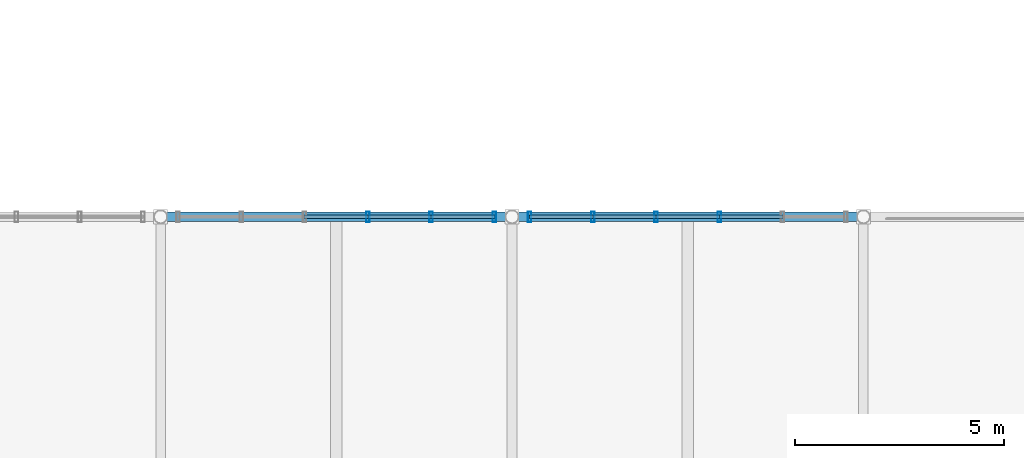
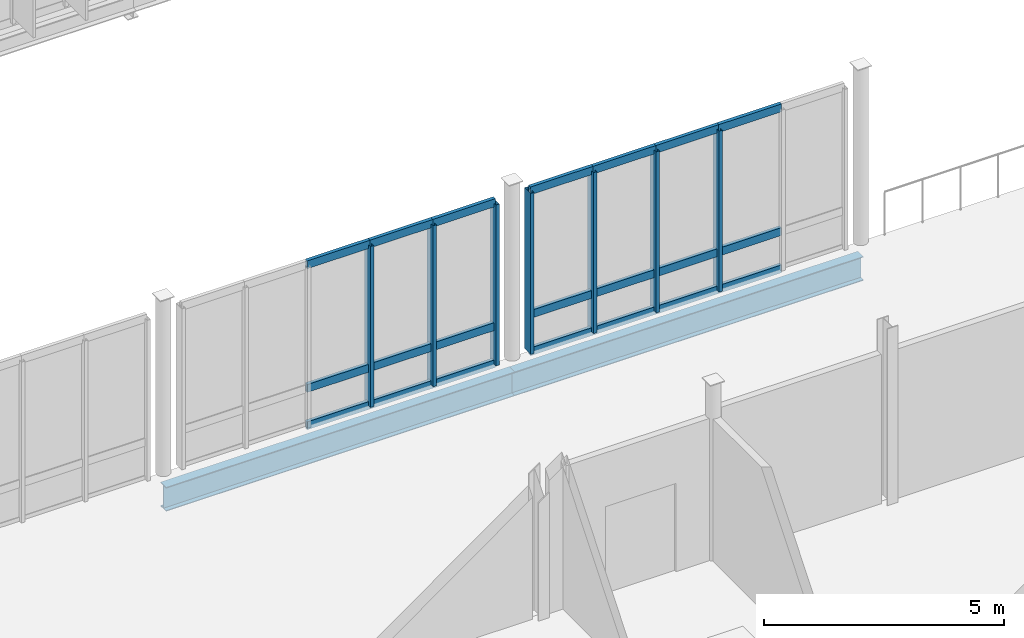
# One storey, part 43 of 139: 28 members, 2 beams, 2 elements without a shape of their own.
"""IFC4 building model written with IfcOpenShell, lengths in metres."""

from ifc_helpers import new_model, si_unit, derived_unit, direction, frame, origin, origin_2d, place, context, subcontext, project, spatial, hollow_rectangle, i_section, extrude, material, layer, layer_set, material_profile, profile_set, type_object, element, aggregate, save


model = new_model("IFC4")

# Units and contexts
model_context = context("Model", 3, precision=1e-05, world=origin(), true_north=direction((0.0, 1.0)))
body_context = subcontext(model_context, "Body", "Model", "MODEL_VIEW")
ifc_project = project(units=[si_unit("LENGTHUNIT", "METRE"), si_unit("AREAUNIT", "SQUARE_METRE"), si_unit("VOLUMEUNIT", "CUBIC_METRE"), si_unit("PLANEANGLEUNIT", "RADIAN"), si_unit("MASSUNIT", "GRAM", prefix="KILO"), derived_unit("THERMALTRANSMITTANCEUNIT", [(si_unit("MASSUNIT", "GRAM", prefix="KILO"), 1), (si_unit("TIMEUNIT", "SECOND"), -3), (si_unit("THERMODYNAMICTEMPERATUREUNIT", "KELVIN"), -1)])], contexts=[model_context])

# Site, building, storey
site_placement = place(None, origin())
site = spatial("IfcSite", under=ifc_project, at=site_placement, CompositionType="ELEMENT")
building_placement = place(site_placement, origin())
building = spatial("IfcBuilding", under=site, at=building_placement, Name="Makaiwela Harbour Ferry Terminal", CompositionType="ELEMENT")
storey_placement = place(building_placement, frame((0.0, 0.0, 5.10009765625)))
storey = spatial("IfcBuildingStorey", under=building, at=storey_placement, Name="L01", CompositionType="ELEMENT", Elevation=5.10009765625)

# Curtain wall, members
ifc_material_1 = material(Name="Marine anodised aluminium 6063-T6", Category="aluminium")
ifc_layer = layer(ifc_material_1, 0.199951171875)
ifc_layer_set = layer_set([ifc_layer], Name="Marine anodised aluminium 6063-T6")
curtain_wall_type = type_object("IfcCurtainWallType", Name="ENV-CW-08", PredefinedType="USERDEFINED", material=ifc_layer_set)
curtain_wall_1_placement = place(storey_placement, origin())
curtain_wall_1 = element("IfcCurtainWall", 1, at=curtain_wall_1_placement, inside=storey, type_object=curtain_wall_type, Name="Unitised Curtain Wall CWA-149", ObjectType="UNITIZED CURTAIN WALL", PredefinedType="USERDEFINED")
ifc_material_profile_1 = material_profile(ifc_material_1, hollow_rectangle(XDim=0.0849609375, YDim=0.25, WallThickness=0.0048828125, at=origin_2d()), Name="CWM-250X85")
ifc_profile_set_1 = profile_set([ifc_material_profile_1], Name="Marine anodised aluminium 6063-T6")
member_type_1 = type_object("IfcMemberType", Name="CW-MUL-250", PredefinedType="MULLION", material=ifc_profile_set_1)
member_1_placement = place(storey_placement, frame((121.3798828125, 33.60009765625, 0.0), z_axis=(0.0, 0.0, 1.0), x_axis=(1.0, 0.0, 0.0)))
member_1 = element("IfcMember", 2, at=member_1_placement, type_object=member_type_1, Name="Curtain Wall Mullion CWA-149-1", PredefinedType="MULLION", context=body_context, shape_type="SweptSolid", body=[
    extrude(hollow_rectangle(XDim=0.0849609375, YDim=0.25, WallThickness=0.0048828125, at=origin_2d()), origin(), (0.0, 0.0, 1.0), 4.099853515625),
])
member_2_placement = place(storey_placement, frame((119.867919921875, 33.60009765625, 0.0), z_axis=(0.0, 0.0, 1.0), x_axis=(1.0, 0.0, 0.0)))
member_2 = element("IfcMember", 3, at=member_2_placement, type_object=member_type_1, Name="Curtain Wall Mullion CWA-149-2", PredefinedType="MULLION", context=body_context, shape_type="SweptSolid", body=[
    extrude(hollow_rectangle(XDim=0.0849609375, YDim=0.25, WallThickness=0.0048828125, at=origin_2d()), origin(), (0.0, 0.0, 1.0), 4.099853515625),
])
member_3_placement = place(storey_placement, frame((118.35595703125, 33.60009765625, 0.0), z_axis=(0.0, 0.0, 1.0), x_axis=(1.0, 0.0, 0.0)))
member_3 = element("IfcMember", 4, at=member_3_placement, type_object=member_type_1, Name="Curtain Wall Mullion CWA-149-3", PredefinedType="MULLION", context=body_context, shape_type="SweptSolid", body=[
    extrude(hollow_rectangle(XDim=0.0849609375, YDim=0.25, WallThickness=0.0048828125, at=origin_2d()), origin(), (0.0, 0.0, 1.0), 4.099853515625),
])

curtain_wall_2_placement = place(storey_placement, origin())
curtain_wall_2 = element("IfcCurtainWall", 5, at=curtain_wall_2_placement, inside=storey, type_object=curtain_wall_type, Name="Unitised Curtain Wall CWA-151", ObjectType="UNITIZED CURTAIN WALL", PredefinedType="USERDEFINED")
member_4_placement = place(storey_placement, frame((126.756103515625, 33.60009765625, 0.0), z_axis=(0.0, 0.0, 1.0), x_axis=(1.0, 0.0, 0.0)))
member_4 = element("IfcMember", 6, at=member_4_placement, type_object=member_type_1, Name="Curtain Wall Mullion CWA-151-3", PredefinedType="MULLION", context=body_context, shape_type="SweptSolid", body=[
    extrude(hollow_rectangle(XDim=0.0849609375, YDim=0.25, WallThickness=0.0048828125, at=origin_2d()), origin(), (0.0, 0.0, 1.0), 4.099853515625),
])
member_5_placement = place(storey_placement, frame((125.243896484375, 33.60009765625, 0.0), z_axis=(0.0, 0.0, 1.0), x_axis=(1.0, 0.0, 0.0)))
member_5 = element("IfcMember", 7, at=member_5_placement, type_object=member_type_1, Name="Curtain Wall Mullion CWA-151-4", PredefinedType="MULLION", context=body_context, shape_type="SweptSolid", body=[
    extrude(hollow_rectangle(XDim=0.0849609375, YDim=0.25, WallThickness=0.0048828125, at=origin_2d()), origin(), (0.0, 0.0, 1.0), 4.099853515625),
])
member_6_placement = place(storey_placement, frame((123.73193359375, 33.60009765625, 0.0), z_axis=(0.0, 0.0, 1.0), x_axis=(1.0, 0.0, 0.0)))
member_6 = element("IfcMember", 8, at=member_6_placement, type_object=member_type_1, Name="Curtain Wall Mullion CWA-151-5", PredefinedType="MULLION", context=body_context, shape_type="SweptSolid", body=[
    extrude(hollow_rectangle(XDim=0.0849609375, YDim=0.25, WallThickness=0.0048828125, at=origin_2d()), origin(), (0.0, 0.0, 1.0), 4.099853515625),
])
member_7_placement = place(storey_placement, frame((122.219970703125, 33.60009765625, 0.0), z_axis=(0.0, 0.0, 1.0), x_axis=(1.0, 0.0, 0.0)))
member_7 = element("IfcMember", 9, at=member_7_placement, type_object=member_type_1, Name="Curtain Wall Mullion CWA-151-6", PredefinedType="MULLION", context=body_context, shape_type="SweptSolid", body=[
    extrude(hollow_rectangle(XDim=0.0849609375, YDim=0.25, WallThickness=0.0048828125, at=origin_2d()), origin(), (0.0, 0.0, 1.0), 4.099853515625),
])

# Member
ifc_material_profile_2 = material_profile(ifc_material_1, hollow_rectangle(XDim=0.0849609375, YDim=0.199951171875, WallThickness=0.0048828125, at=origin_2d()), Name="CWT-200X85")
ifc_profile_set_2 = profile_set([ifc_material_profile_2], Name="Marine anodised aluminium 6063-T6")
member_type_2 = type_object("IfcMemberType", Name="CW-TRN-200", PredefinedType="USERDEFINED", material=ifc_profile_set_2)
member_8_placement = place(storey_placement, frame((121.3798828125, 33.60009765625, 0.0), z_axis=(-1.0, 0.0, 0.0), x_axis=(0.0, -1.0, 0.0)))
member_8 = element("IfcMember", 10, at=member_8_placement, type_object=member_type_2, Name="Curtain Wall Transom CWA-149-1-1", ObjectType="TRANSOM", PredefinedType="USERDEFINED", context=body_context, shape_type="SweptSolid", body=[
    extrude(hollow_rectangle(XDim=0.0849609375, YDim=0.199951171875, WallThickness=0.0048828125, at=origin_2d()), origin(), (0.0, 0.0, 1.0), 1.511962890625),
])

member_9_placement = place(storey_placement, frame((121.3798828125, 33.60009765625, 0.949951171875), z_axis=(-1.0, 0.0, 0.0), x_axis=(0.0, -1.0, 0.0)))
member_9 = element("IfcMember", 11, at=member_9_placement, type_object=member_type_2, Name="Curtain Wall Transom CWA-149-1-2", ObjectType="TRANSOM", PredefinedType="USERDEFINED", context=body_context, shape_type="SweptSolid", body=[
    extrude(hollow_rectangle(XDim=0.0849609375, YDim=0.199951171875, WallThickness=0.0048828125, at=origin_2d()), origin(), (0.0, 0.0, 1.0), 1.511962890625),
])

member_10_placement = place(storey_placement, frame((121.3798828125, 33.60009765625, 4.099853515625), z_axis=(-1.0, 0.0, 0.0), x_axis=(0.0, -1.0, 0.0)))
member_10 = element("IfcMember", 12, at=member_10_placement, type_object=member_type_2, Name="Curtain Wall Transom CWA-149-1-3", ObjectType="TRANSOM", PredefinedType="USERDEFINED", context=body_context, shape_type="SweptSolid", body=[
    extrude(hollow_rectangle(XDim=0.0849609375, YDim=0.199951171875, WallThickness=0.0048828125, at=origin_2d()), origin(), (0.0, 0.0, 1.0), 1.511962890625),
])

member_11_placement = place(storey_placement, frame((119.867919921875, 33.60009765625, 0.0), z_axis=(-1.0, 0.0, 0.0), x_axis=(0.0, -1.0, 0.0)))
member_11 = element("IfcMember", 13, at=member_11_placement, type_object=member_type_2, Name="Curtain Wall Transom CWA-149-2-1", ObjectType="TRANSOM", PredefinedType="USERDEFINED", context=body_context, shape_type="SweptSolid", body=[
    extrude(hollow_rectangle(XDim=0.0849609375, YDim=0.199951171875, WallThickness=0.0048828125, at=origin_2d()), origin(), (0.0, 0.0, 1.0), 1.511962890625),
])

member_12_placement = place(storey_placement, frame((119.867919921875, 33.60009765625, 0.949951171875), z_axis=(-1.0, 0.0, 0.0), x_axis=(0.0, -1.0, 0.0)))
member_12 = element("IfcMember", 14, at=member_12_placement, type_object=member_type_2, Name="Curtain Wall Transom CWA-149-2-2", ObjectType="TRANSOM", PredefinedType="USERDEFINED", context=body_context, shape_type="SweptSolid", body=[
    extrude(hollow_rectangle(XDim=0.0849609375, YDim=0.199951171875, WallThickness=0.0048828125, at=origin_2d()), origin(), (0.0, 0.0, 1.0), 1.511962890625),
])

member_13_placement = place(storey_placement, frame((119.867919921875, 33.60009765625, 4.099853515625), z_axis=(-1.0, 0.0, 0.0), x_axis=(0.0, -1.0, 0.0)))
member_13 = element("IfcMember", 15, at=member_13_placement, type_object=member_type_2, Name="Curtain Wall Transom CWA-149-2-3", ObjectType="TRANSOM", PredefinedType="USERDEFINED", context=body_context, shape_type="SweptSolid", body=[
    extrude(hollow_rectangle(XDim=0.0849609375, YDim=0.199951171875, WallThickness=0.0048828125, at=origin_2d()), origin(), (0.0, 0.0, 1.0), 1.511962890625),
])

member_14_placement = place(storey_placement, frame((118.35595703125, 33.60009765625, 0.0), z_axis=(-1.0, 0.0, 0.0), x_axis=(0.0, -1.0, 0.0)))
member_14 = element("IfcMember", 16, at=member_14_placement, type_object=member_type_2, Name="Curtain Wall Transom CWA-149-3-1", ObjectType="TRANSOM", PredefinedType="USERDEFINED", context=body_context, shape_type="SweptSolid", body=[
    extrude(hollow_rectangle(XDim=0.0849609375, YDim=0.199951171875, WallThickness=0.0048828125, at=origin_2d()), origin(), (0.0, 0.0, 1.0), 1.511962890625),
])

member_15_placement = place(storey_placement, frame((118.35595703125, 33.60009765625, 0.949951171875), z_axis=(-1.0, 0.0, 0.0), x_axis=(0.0, -1.0, 0.0)))
member_15 = element("IfcMember", 17, at=member_15_placement, type_object=member_type_2, Name="Curtain Wall Transom CWA-149-3-2", ObjectType="TRANSOM", PredefinedType="USERDEFINED", context=body_context, shape_type="SweptSolid", body=[
    extrude(hollow_rectangle(XDim=0.0849609375, YDim=0.199951171875, WallThickness=0.0048828125, at=origin_2d()), origin(), (0.0, 0.0, 1.0), 1.511962890625),
])

member_16_placement = place(storey_placement, frame((118.35595703125, 33.60009765625, 4.099853515625), z_axis=(-1.0, 0.0, 0.0), x_axis=(0.0, -1.0, 0.0)))
member_16 = element("IfcMember", 18, at=member_16_placement, type_object=member_type_2, Name="Curtain Wall Transom CWA-149-3-3", ObjectType="TRANSOM", PredefinedType="USERDEFINED", context=body_context, shape_type="SweptSolid", body=[
    extrude(hollow_rectangle(XDim=0.0849609375, YDim=0.199951171875, WallThickness=0.0048828125, at=origin_2d()), origin(), (0.0, 0.0, 1.0), 1.511962890625),
])

aggregate(curtain_wall_1, [member_1, member_2, member_3, member_8, member_9, member_10, member_11, member_12, member_13, member_14, member_15, member_16])

member_17_placement = place(storey_placement, frame((128.26806640625, 33.60009765625, 0.0), z_axis=(-1.0, 0.0, 0.0), x_axis=(0.0, -1.0, 0.0)))
member_17 = element("IfcMember", 19, at=member_17_placement, type_object=member_type_2, Name="Curtain Wall Transom CWA-151-2-1", ObjectType="TRANSOM", PredefinedType="USERDEFINED", context=body_context, shape_type="SweptSolid", body=[
    extrude(hollow_rectangle(XDim=0.0849609375, YDim=0.199951171875, WallThickness=0.0048828125, at=origin_2d()), origin(), (0.0, 0.0, 1.0), 1.511962890625),
])

member_18_placement = place(storey_placement, frame((128.26806640625, 33.60009765625, 0.949951171875), z_axis=(-1.0, 0.0, 0.0), x_axis=(0.0, -1.0, 0.0)))
member_18 = element("IfcMember", 20, at=member_18_placement, type_object=member_type_2, Name="Curtain Wall Transom CWA-151-2-2", ObjectType="TRANSOM", PredefinedType="USERDEFINED", context=body_context, shape_type="SweptSolid", body=[
    extrude(hollow_rectangle(XDim=0.0849609375, YDim=0.199951171875, WallThickness=0.0048828125, at=origin_2d()), origin(), (0.0, 0.0, 1.0), 1.511962890625),
])

member_19_placement = place(storey_placement, frame((128.26806640625, 33.60009765625, 4.099853515625), z_axis=(-1.0, 0.0, 0.0), x_axis=(0.0, -1.0, 0.0)))
member_19 = element("IfcMember", 21, at=member_19_placement, type_object=member_type_2, Name="Curtain Wall Transom CWA-151-2-3", ObjectType="TRANSOM", PredefinedType="USERDEFINED", context=body_context, shape_type="SweptSolid", body=[
    extrude(hollow_rectangle(XDim=0.0849609375, YDim=0.199951171875, WallThickness=0.0048828125, at=origin_2d()), origin(), (0.0, 0.0, 1.0), 1.511962890625),
])

member_20_placement = place(storey_placement, frame((126.756103515625, 33.60009765625, 0.0), z_axis=(-1.0, 0.0, 0.0), x_axis=(0.0, -1.0, 0.0)))
member_20 = element("IfcMember", 22, at=member_20_placement, type_object=member_type_2, Name="Curtain Wall Transom CWA-151-3-1", ObjectType="TRANSOM", PredefinedType="USERDEFINED", context=body_context, shape_type="SweptSolid", body=[
    extrude(hollow_rectangle(XDim=0.0849609375, YDim=0.199951171875, WallThickness=0.0048828125, at=origin_2d()), origin(), (0.0, 0.0, 1.0), 1.51220703125),
])

member_21_placement = place(storey_placement, frame((126.756103515625, 33.60009765625, 0.949951171875), z_axis=(-1.0, 0.0, 0.0), x_axis=(0.0, -1.0, 0.0)))
member_21 = element("IfcMember", 23, at=member_21_placement, type_object=member_type_2, Name="Curtain Wall Transom CWA-151-3-2", ObjectType="TRANSOM", PredefinedType="USERDEFINED", context=body_context, shape_type="SweptSolid", body=[
    extrude(hollow_rectangle(XDim=0.0849609375, YDim=0.199951171875, WallThickness=0.0048828125, at=origin_2d()), origin(), (0.0, 0.0, 1.0), 1.51220703125),
])

member_22_placement = place(storey_placement, frame((126.756103515625, 33.60009765625, 4.099853515625), z_axis=(-1.0, 0.0, 0.0), x_axis=(0.0, -1.0, 0.0)))
member_22 = element("IfcMember", 24, at=member_22_placement, type_object=member_type_2, Name="Curtain Wall Transom CWA-151-3-3", ObjectType="TRANSOM", PredefinedType="USERDEFINED", context=body_context, shape_type="SweptSolid", body=[
    extrude(hollow_rectangle(XDim=0.0849609375, YDim=0.199951171875, WallThickness=0.0048828125, at=origin_2d()), origin(), (0.0, 0.0, 1.0), 1.51220703125),
])

member_23_placement = place(storey_placement, frame((125.243896484375, 33.60009765625, 0.0), z_axis=(-1.0, 0.0, 0.0), x_axis=(0.0, -1.0, 0.0)))
member_23 = element("IfcMember", 25, at=member_23_placement, type_object=member_type_2, Name="Curtain Wall Transom CWA-151-4-1", ObjectType="TRANSOM", PredefinedType="USERDEFINED", context=body_context, shape_type="SweptSolid", body=[
    extrude(hollow_rectangle(XDim=0.0849609375, YDim=0.199951171875, WallThickness=0.0048828125, at=origin_2d()), origin(), (0.0, 0.0, 1.0), 1.511962890625),
])

member_24_placement = place(storey_placement, frame((125.243896484375, 33.60009765625, 0.949951171875), z_axis=(-1.0, 0.0, 0.0), x_axis=(0.0, -1.0, 0.0)))
member_24 = element("IfcMember", 26, at=member_24_placement, type_object=member_type_2, Name="Curtain Wall Transom CWA-151-4-2", ObjectType="TRANSOM", PredefinedType="USERDEFINED", context=body_context, shape_type="SweptSolid", body=[
    extrude(hollow_rectangle(XDim=0.0849609375, YDim=0.199951171875, WallThickness=0.0048828125, at=origin_2d()), origin(), (0.0, 0.0, 1.0), 1.511962890625),
])

member_25_placement = place(storey_placement, frame((125.243896484375, 33.60009765625, 4.099853515625), z_axis=(-1.0, 0.0, 0.0), x_axis=(0.0, -1.0, 0.0)))
member_25 = element("IfcMember", 27, at=member_25_placement, type_object=member_type_2, Name="Curtain Wall Transom CWA-151-4-3", ObjectType="TRANSOM", PredefinedType="USERDEFINED", context=body_context, shape_type="SweptSolid", body=[
    extrude(hollow_rectangle(XDim=0.0849609375, YDim=0.199951171875, WallThickness=0.0048828125, at=origin_2d()), origin(), (0.0, 0.0, 1.0), 1.511962890625),
])

member_26_placement = place(storey_placement, frame((123.73193359375, 33.60009765625, 0.0), z_axis=(-1.0, 0.0, 0.0), x_axis=(0.0, -1.0, 0.0)))
member_26 = element("IfcMember", 28, at=member_26_placement, type_object=member_type_2, Name="Curtain Wall Transom CWA-151-5-1", ObjectType="TRANSOM", PredefinedType="USERDEFINED", context=body_context, shape_type="SweptSolid", body=[
    extrude(hollow_rectangle(XDim=0.0849609375, YDim=0.199951171875, WallThickness=0.0048828125, at=origin_2d()), origin(), (0.0, 0.0, 1.0), 1.511962890625),
])

member_27_placement = place(storey_placement, frame((123.73193359375, 33.60009765625, 0.949951171875), z_axis=(-1.0, 0.0, 0.0), x_axis=(0.0, -1.0, 0.0)))
member_27 = element("IfcMember", 29, at=member_27_placement, type_object=member_type_2, Name="Curtain Wall Transom CWA-151-5-2", ObjectType="TRANSOM", PredefinedType="USERDEFINED", context=body_context, shape_type="SweptSolid", body=[
    extrude(hollow_rectangle(XDim=0.0849609375, YDim=0.199951171875, WallThickness=0.0048828125, at=origin_2d()), origin(), (0.0, 0.0, 1.0), 1.511962890625),
])

member_28_placement = place(storey_placement, frame((123.73193359375, 33.60009765625, 4.099853515625), z_axis=(-1.0, 0.0, 0.0), x_axis=(0.0, -1.0, 0.0)))
member_28 = element("IfcMember", 30, at=member_28_placement, type_object=member_type_2, Name="Curtain Wall Transom CWA-151-5-3", ObjectType="TRANSOM", PredefinedType="USERDEFINED", context=body_context, shape_type="SweptSolid", body=[
    extrude(hollow_rectangle(XDim=0.0849609375, YDim=0.199951171875, WallThickness=0.0048828125, at=origin_2d()), origin(), (0.0, 0.0, 1.0), 1.511962890625),
])

aggregate(curtain_wall_2, [member_4, member_5, member_6, member_7, member_17, member_18, member_19, member_20, member_21, member_22, member_23, member_24, member_25, member_26, member_27, member_28])

# Beams
ifc_material_2 = material(Name="Steel ASTM A992 Grade 50", Category="steel")
ifc_material_profile_3 = material_profile(ifc_material_2, i_section(OverallWidth=0.22900390625, OverallDepth=0.612060546875, WebThickness=0.011962890625, FlangeThickness=0.01953125, at=origin_2d()), Name="W24X84")
ifc_profile_set_3 = profile_set([ifc_material_profile_3], Name="Steel ASTM A992 Grade 50")
beam_type = type_object("IfcBeamType", Name="STR-GRD-W24X84", PredefinedType="USERDEFINED", material=ifc_profile_set_3)
beam_1_placement = place(storey_placement, frame((113.39990234375, 33.60009765625, -0.6259765625), z_axis=(1.0, 0.0, 0.0), x_axis=(0.0, 1.0, 0.0)))
element("IfcBeam", 31, at=beam_1_placement, inside=storey, type_object=beam_type, Name="Primary X girder 789", ObjectType="GIRDER", PredefinedType="USERDEFINED", context=body_context, shape_type="SweptSolid", body=[
    extrude(i_section(OverallWidth=0.22900390625, OverallDepth=0.612060546875, WebThickness=0.011962890625, FlangeThickness=0.01953125, at=origin_2d()), origin(), (0.0, 0.0, 1.0), 8.400146484375),
])
beam_2_placement = place(storey_placement, frame((121.800048828125, 33.60009765625, -0.6259765625), z_axis=(1.0, 0.0, 0.0), x_axis=(0.0, 1.0, 0.0)))
element("IfcBeam", 32, at=beam_2_placement, inside=storey, type_object=beam_type, Name="Primary X girder 790", ObjectType="GIRDER", PredefinedType="USERDEFINED", context=body_context, shape_type="SweptSolid", body=[
    extrude(i_section(OverallWidth=0.22900390625, OverallDepth=0.612060546875, WebThickness=0.011962890625, FlangeThickness=0.01953125, at=origin_2d()), origin(), (0.0, 0.0, 1.0), 8.39990234375),
])

save(model, "model.ifc")
